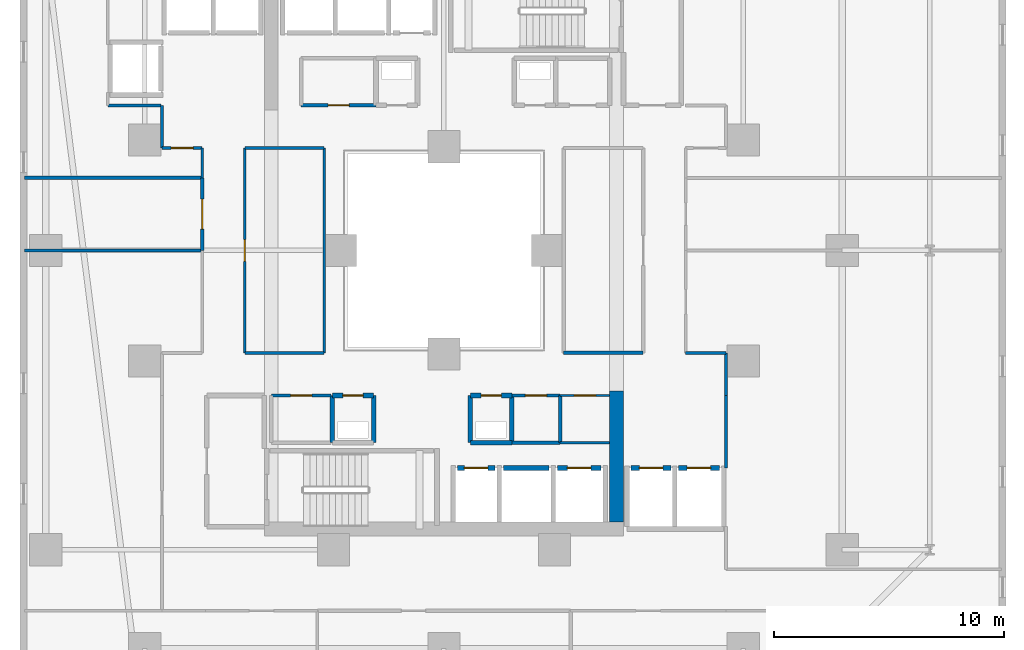
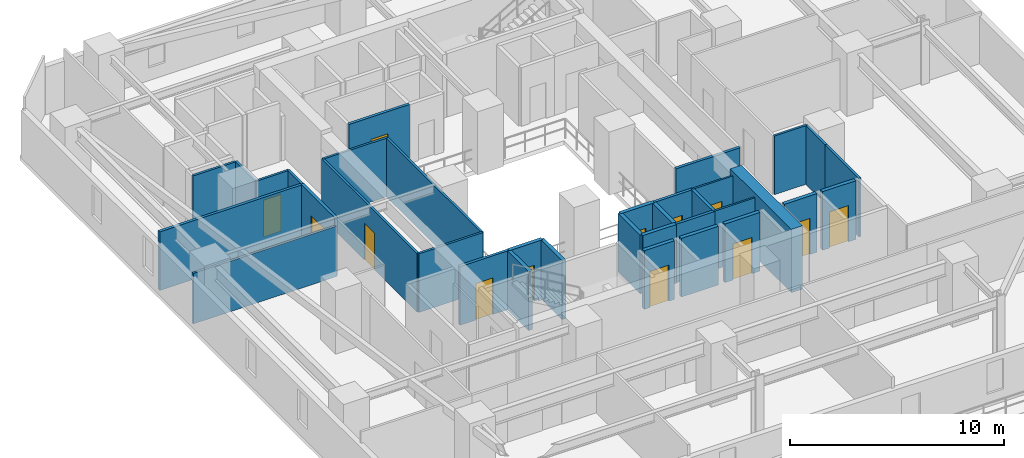
# One storey, part 22 of 35: 35 walls, 13 doors, 13 openings.
"""IFC4 building model written with IfcOpenShell, lengths in metres."""

from ifc_helpers import new_model, si_unit, direction, frame, frame_2d, origin, place, context, subcontext, project, spatial, rectangle, extrude, material, layer, layer_set, type_object, element, fill, save


model = new_model("IFC4")

# Units and contexts
model_context = context("Model", 3, precision=1e-05, world=origin(), true_north=direction((0.0, 1.0)))
body_context = subcontext(model_context, "Body", "Model", "MODEL_VIEW")
ifc_project = project(units=[si_unit("LENGTHUNIT", "METRE"), si_unit("AREAUNIT", "SQUARE_METRE"), si_unit("VOLUMEUNIT", "CUBIC_METRE"), si_unit("PLANEANGLEUNIT", "RADIAN"), si_unit("MASSUNIT", "GRAM", prefix="KILO")], contexts=[model_context])

# Site, building, storey
site_placement = place(None, origin())
site = spatial("IfcSite", under=ifc_project, at=site_placement, CompositionType="ELEMENT")
building_placement = place(site_placement, origin())
building = spatial("IfcBuilding", under=site, at=building_placement, Name="Thornwick Lancets Civic Towers", CompositionType="ELEMENT")
storey_placement = place(building_placement, frame((0.0, 0.0, 64.5)))
storey = spatial("IfcBuildingStorey", under=building, at=storey_placement, Name="L16", CompositionType="ELEMENT", Elevation=64.5)

# Wall, opening, door
ifc_material_1 = material(Name="Concrete blockwork C40/50", Category="masonry")
ifc_layer_1 = layer(ifc_material_1, 0.199951171875, Name="Concrete blockwork C40/50")
ifc_layer_set_1 = layer_set([ifc_layer_1], Name="Concrete blockwork C40/50")
wall_type_1 = type_object("IfcWallType", Name="WALL_COMP_200", PredefinedType="STANDARD", material=ifc_layer_set_1)
wall_1_placement = place(storey_placement, frame((26.080078125, 17.550048828125, 0.0), z_axis=(0.0, 0.0, 1.0), x_axis=(1.0, 0.0, 0.0)))
wall_1 = element("IfcWall", 1, at=wall_1_placement, inside=storey, type_object=wall_type_1, Name="L16 Hoistway Front Wall FL-A1", PredefinedType="STANDARD", context=body_context, shape_type="SweptSolid", body=[
    extrude(rectangle(XDim=1.639892578125, YDim=0.199951171875, at=frame_2d((0.81982421875, 0.0))), origin(), (0.0, 0.0, 1.0), 3.340087890625),
])
opening_1_placement = place(wall_1_placement, frame((0.31005859375, 0.0, 0.0)))
opening_1 = element("IfcOpeningElement", 2, at=opening_1_placement, cuts=wall_1, Name="Opening LD-FL-A1", PredefinedType="OPENING", context=body_context, shape_type="SweptSolid", body=[
    extrude(rectangle(XDim=1.02001953125, YDim=2.06005859375, at=frame_2d((0.510009765625, 1.030029296875))), frame((0.0, 0.10986328125, 0.0), z_axis=(0.0, -1.0, 0.0), x_axis=(1.0, 0.0, 0.0)), (0.0, 0.0, 1.0), 0.219970703125),
])
ifc_material_2 = material(Name="Brushed bronze stainless steel", Category="steel")
door_type_1 = type_object("IfcDoorType", Name="DOOR_LIFT_SLIDE", OperationType="SLIDING_TO_LEFT", PredefinedType="DOOR", material=ifc_material_2)
door_1_placement = place(opening_1_placement, origin())
door_1 = element("IfcDoor", 3, at=door_1_placement, inside=storey, type_object=door_type_1, Name="L16 Sliding Lift Landing Door LD-FL-A1", OperationType="SLIDING_TO_LEFT", OverallHeight=2.06005859375, OverallWidth=1.02001953125, PredefinedType="DOOR", context=body_context, shape_type="SweptSolid", body=[
    extrude(rectangle(XDim=1.02001953125, YDim=2.06005859375, at=frame_2d((0.510009765625, 1.030029296875))), frame((0.0, 0.02490234375, 0.0), z_axis=(0.0, -1.0, 0.0), x_axis=(1.0, 0.0, 0.0)), (0.0, 0.0, 1.0), 0.050048828125),
])
fill(opening_1, door_1)

# Wall
wall_2_placement = place(storey_placement, frame((28.080078125, 17.550048828125, 0.0), z_axis=(0.0, 0.0, 1.0), x_axis=(1.0, 0.0, 0.0)))
element("IfcWall", 4, at=wall_2_placement, inside=storey, type_object=wall_type_1, Name="L16 Hoistway Front Wall PL-AH1", PredefinedType="STANDARD", context=body_context, shape_type="SweptSolid", body=[
    extrude(rectangle(XDim=1.989990234375, YDim=0.199951171875, at=frame_2d((0.9951171875, 0.0))), origin(), (0.0, 0.0, 1.0), 3.340087890625),
])

# Wall, opening, door
wall_3_placement = place(storey_placement, frame((30.429931640625, 17.550048828125, 0.0), z_axis=(0.0, 0.0, 1.0), x_axis=(1.0, 0.0, 0.0)))
wall_3 = element("IfcWall", 5, at=wall_3_placement, inside=storey, type_object=wall_type_1, Name="L16 Hoistway Front Wall PL-AL1", PredefinedType="STANDARD", context=body_context, shape_type="SweptSolid", body=[
    extrude(rectangle(XDim=1.89013671875, YDim=0.199951171875, at=frame_2d((0.945068359375, 0.0))), origin(), (0.0, 0.0, 1.0), 3.340087890625),
])
opening_2_placement = place(wall_3_placement, frame((0.43505859375, 0.0, 0.0)))
opening_2 = element("IfcOpeningElement", 6, at=opening_2_placement, cuts=wall_3, Name="Opening LD-PL-AL1", PredefinedType="OPENING", context=body_context, shape_type="SweptSolid", body=[
    extrude(rectangle(XDim=1.02001953125, YDim=2.06005859375, at=frame_2d((0.510009765625, 1.030029296875))), frame((0.0, 0.10986328125, 0.0), z_axis=(0.0, -1.0, 0.0), x_axis=(1.0, 0.0, 0.0)), (0.0, 0.0, 1.0), 0.219970703125),
])
door_2_placement = place(opening_2_placement, origin())
door_2 = element("IfcDoor", 7, at=door_2_placement, inside=storey, type_object=door_type_1, Name="L16 Sliding Lift Landing Door LD-PL-AL1", OperationType="SLIDING_TO_LEFT", OverallHeight=2.06005859375, OverallWidth=1.02001953125, PredefinedType="DOOR", context=body_context, shape_type="SweptSolid", body=[
    extrude(rectangle(XDim=1.02001953125, YDim=2.06005859375, at=frame_2d((0.510009765625, 1.030029296875))), frame((0.0, 0.02490234375, 0.0), z_axis=(0.0, -1.0, 0.0), x_axis=(1.0, 0.0, 0.0)), (0.0, 0.0, 1.0), 0.050048828125),
])
fill(opening_2, door_2)

wall_4_placement = place(storey_placement, frame((33.6298828125, 17.550048828125, 0.0), z_axis=(0.0, 0.0, 1.0), x_axis=(1.0, 0.0, 0.0)))
wall_4 = element("IfcWall", 8, at=wall_4_placement, inside=storey, type_object=wall_type_1, Name="L16 Hoistway Front Wall PL-AL2", PredefinedType="STANDARD", context=body_context, shape_type="SweptSolid", body=[
    extrude(rectangle(XDim=1.740234375, YDim=0.199951171875, at=frame_2d((0.8701171875, 0.0))), origin(), (0.0, 0.0, 1.0), 3.340087890625),
])
opening_3_placement = place(wall_4_placement, frame((0.360107421875, 0.0, 0.0)))
opening_3 = element("IfcOpeningElement", 9, at=opening_3_placement, cuts=wall_4, Name="Opening LD-PL-AL2", PredefinedType="OPENING", context=body_context, shape_type="SweptSolid", body=[
    extrude(rectangle(XDim=1.02001953125, YDim=2.06005859375, at=frame_2d((0.510009765625, 1.030029296875))), frame((0.0, 0.10986328125, 0.0), z_axis=(0.0, -1.0, 0.0), x_axis=(1.0, 0.0, 0.0)), (0.0, 0.0, 1.0), 0.219970703125),
])
door_3_placement = place(opening_3_placement, origin())
door_3 = element("IfcDoor", 10, at=door_3_placement, inside=storey, type_object=door_type_1, Name="L16 Sliding Lift Landing Door LD-PL-AL2", OperationType="SLIDING_TO_LEFT", OverallHeight=2.06005859375, OverallWidth=1.02001953125, PredefinedType="DOOR", context=body_context, shape_type="SweptSolid", body=[
    extrude(rectangle(XDim=1.02001953125, YDim=2.06005859375, at=frame_2d((0.510009765625, 1.030029296875))), frame((0.0, 0.02490234375, 0.0), z_axis=(0.0, -1.0, 0.0), x_axis=(1.0, 0.0, 0.0)), (0.0, 0.0, 1.0), 0.050048828125),
])
fill(opening_3, door_3)

wall_5_placement = place(storey_placement, frame((35.679931640625, 17.550048828125, 0.0), z_axis=(0.0, 0.0, 1.0), x_axis=(1.0, 0.0, 0.0)))
wall_5 = element("IfcWall", 11, at=wall_5_placement, inside=storey, type_object=wall_type_1, Name="L16 Hoistway Front Wall PL-AL3", PredefinedType="STANDARD", context=body_context, shape_type="SweptSolid", body=[
    extrude(rectangle(XDim=1.7900390625, YDim=0.199951171875, at=frame_2d((0.89501953125, 0.0))), origin(), (0.0, 0.0, 1.0), 3.340087890625),
])
opening_4_placement = place(wall_5_placement, frame((0.385009765625, 0.0, 0.0)))
opening_4 = element("IfcOpeningElement", 12, at=opening_4_placement, cuts=wall_5, Name="Opening LD-PL-AL3", PredefinedType="OPENING", context=body_context, shape_type="SweptSolid", body=[
    extrude(rectangle(XDim=1.02001953125, YDim=2.06005859375, at=frame_2d((0.510009765625, 1.030029296875))), frame((0.0, 0.10986328125, 0.0), z_axis=(0.0, -1.0, 0.0), x_axis=(1.0, 0.0, 0.0)), (0.0, 0.0, 1.0), 0.219970703125),
])
door_4_placement = place(opening_4_placement, origin())
door_4 = element("IfcDoor", 13, at=door_4_placement, inside=storey, type_object=door_type_1, Name="L16 Sliding Lift Landing Door LD-PL-AL3", OperationType="SLIDING_TO_LEFT", OverallHeight=2.06005859375, OverallWidth=1.02001953125, PredefinedType="DOOR", context=body_context, shape_type="SweptSolid", body=[
    extrude(rectangle(XDim=1.02001953125, YDim=2.06005859375, at=frame_2d((0.510009765625, 1.030029296875))), frame((0.0, 0.02490234375, 0.0), z_axis=(0.0, -1.0, 0.0), x_axis=(1.0, 0.0, 0.0)), (0.0, 0.0, 1.0), 0.050048828125),
])
fill(opening_4, door_4)

# Walls
wall_6_placement = place(storey_placement, frame((26.64990234375, 18.64990234375, 0.0), z_axis=(0.0, 0.0, 1.0), x_axis=(1.0, 0.0, 0.0)))
element("IfcWall", 14, at=wall_6_placement, inside=storey, type_object=wall_type_1, Name="L16 Partition L16-A-DUCT1 E1", PredefinedType="STANDARD", context=body_context, shape_type="SweptSolid", body=[
    extrude(rectangle(XDim=1.800048828125, YDim=0.199951171875, at=frame_2d((0.89990234375, 0.0))), origin(), (0.0, 0.0, 1.0), 3.340087890625),
])
wall_7_placement = place(storey_placement, frame((28.449951171875, 18.64990234375, 0.0), z_axis=(0.0, 0.0, 1.0), x_axis=(0.0, 1.0, 0.0)))
element("IfcWall", 15, at=wall_7_placement, inside=storey, type_object=wall_type_1, Name="L16 Partition L16-A-DUCT1 E2", PredefinedType="STANDARD", context=body_context, shape_type="SweptSolid", body=[
    extrude(rectangle(XDim=2.050048828125, YDim=0.199951171875, at=frame_2d((1.02490234375, 0.0))), origin(), (0.0, 0.0, 1.0), 3.340087890625),
])

# Wall, opening, door
wall_8_placement = place(storey_placement, frame((28.449951171875, 20.699951171875, 0.0), z_axis=(0.0, 0.0, 1.0), x_axis=(-1.0, 0.0, 0.0)))
wall_8 = element("IfcWall", 16, at=wall_8_placement, inside=storey, type_object=wall_type_1, Name="L16 Partition L16-A-DUCT1 E3", PredefinedType="STANDARD", context=body_context, shape_type="SweptSolid", body=[
    extrude(rectangle(XDim=1.800048828125, YDim=0.199951171875, at=frame_2d((0.89990234375, 0.0))), origin(), (0.0, 0.0, 1.0), 3.340087890625),
])
opening_5_placement = place(wall_8_placement, frame((0.4599609375, 0.0, 0.0)))
opening_5 = element("IfcOpeningElement", 17, at=opening_5_placement, cuts=wall_8, Name="Opening D-L16-0755", PredefinedType="OPENING", context=body_context, shape_type="SweptSolid", body=[
    extrude(rectangle(XDim=0.8798828125, YDim=2.0400390625, at=frame_2d((0.43994140625, 1.02001953125))), frame((0.0, 0.10986328125, 0.0), z_axis=(0.0, -1.0, 0.0), x_axis=(1.0, 0.0, 0.0)), (0.0, 0.0, 1.0), 0.219970703125),
])
ifc_material_3 = material(Name="Steel riser access doorset", Category="steel")
door_type_2 = type_object("IfcDoorType", Name="DOOR_RISER_850", OperationType="NOTDEFINED", PredefinedType="DOOR", material=ifc_material_3)
door_5_placement = place(opening_5_placement, origin())
door_5 = element("IfcDoor", 18, at=door_5_placement, inside=storey, type_object=door_type_2, Name="L16 South Service Duct 1 Door", OperationType="SINGLE_SWING_RIGHT", OverallHeight=2.0400390625, OverallWidth=0.8798828125, PredefinedType="DOOR", context=body_context, shape_type="SweptSolid", body=[
    extrude(rectangle(XDim=0.8798828125, YDim=2.0400390625, at=frame_2d((0.43994140625, 1.02001953125))), frame((0.0, 0.02490234375, 0.0), z_axis=(0.0, -1.0, 0.0), x_axis=(1.0, 0.0, 0.0)), (0.0, 0.0, 1.0), 0.050048828125),
])
fill(opening_5, door_5)

# Walls
for number, where, z_axis, x_axis, name in (
    (19, (26.64990234375, 20.699951171875, 0.0), (0.0, 0.0, 1.0), (0.0, -1.0, 0.0), "L16 Partition L16-A-DUCT1 E4"),
    (20, (22.449951171875, 18.64990234375, 0.0), (0.0, 0.0, 1.0), (0.0, 1.0, 0.0), "L16 Partition L16-A-RISER1 E2"),
):
    element("IfcWall", number, at=place(storey_placement, frame(where, z_axis=z_axis, x_axis=x_axis)), inside=storey, type_object=wall_type_1, Name=name, PredefinedType="STANDARD", context=body_context, shape_type="SweptSolid", body=[
        extrude(rectangle(XDim=2.050048828125, YDim=0.199951171875, at=frame_2d((1.02490234375, 0.0))), origin(), (0.0, 0.0, 1.0), 3.340087890625),
    ])

# Wall, opening, door
wall_9_placement = place(storey_placement, frame((22.449951171875, 20.699951171875, 0.0), z_axis=(0.0, 0.0, 1.0), x_axis=(-1.0, 0.0, 0.0)))
wall_9 = element("IfcWall", 21, at=wall_9_placement, inside=storey, type_object=wall_type_1, Name="L16 Partition L16-A-RISER1 E3", PredefinedType="STANDARD", context=body_context, shape_type="SweptSolid", body=[
    extrude(rectangle(XDim=1.800048828125, YDim=0.199951171875, at=frame_2d((0.89990234375, 0.0))), origin(), (0.0, 0.0, 1.0), 3.340087890625),
])
opening_6_placement = place(wall_9_placement, frame((0.4599609375, 0.0, 0.0)))
opening_6 = element("IfcOpeningElement", 22, at=opening_6_placement, cuts=wall_9, Name="Opening D-L16-0756", PredefinedType="OPENING", context=body_context, shape_type="SweptSolid", body=[
    extrude(rectangle(XDim=0.8798828125, YDim=2.0400390625, at=frame_2d((0.43994140625, 1.02001953125))), frame((0.0, 0.10986328125, 0.0), z_axis=(0.0, -1.0, 0.0), x_axis=(1.0, 0.0, 0.0)), (0.0, 0.0, 1.0), 0.219970703125),
])
door_6_placement = place(opening_6_placement, origin())
door_6 = element("IfcDoor", 23, at=door_6_placement, inside=storey, type_object=door_type_2, Name="L16 South Electrical Riser 1 Door", OperationType="SINGLE_SWING_LEFT", OverallHeight=2.0400390625, OverallWidth=0.8798828125, PredefinedType="DOOR", context=body_context, shape_type="SweptSolid", body=[
    extrude(rectangle(XDim=0.8798828125, YDim=2.0400390625, at=frame_2d((0.43994140625, 1.02001953125))), frame((0.0, 0.02490234375, 0.0), z_axis=(0.0, -1.0, 0.0), x_axis=(1.0, 0.0, 0.0)), (0.0, 0.0, 1.0), 0.050048828125),
])
fill(opening_6, door_6)

# Walls
wall_10_placement = place(storey_placement, frame((20.64990234375, 20.699951171875, 0.0), z_axis=(0.0, 0.0, 1.0), x_axis=(0.0, -1.0, 0.0)))
element("IfcWall", 24, at=wall_10_placement, inside=storey, type_object=wall_type_1, Name="L16 Partition L16-A-RISER1 E4", PredefinedType="STANDARD", context=body_context, shape_type="SweptSolid", body=[
    extrude(rectangle(XDim=2.050048828125, YDim=0.199951171875, at=frame_2d((1.02490234375, 0.0))), origin(), (0.0, 0.0, 1.0), 3.340087890625),
])
ifc_material_4 = material(Name="Concrete C60/75", Category="concrete")
ifc_layer_2 = layer(ifc_material_4, 0.60009765625, Name="Concrete C60/75")
ifc_layer_set_2 = layer_set([ifc_layer_2], Name="Concrete C60/75")
wall_type_2 = type_object("IfcWallType", Name="WALL_CORE_600", PredefinedType="SHEAR", material=ifc_layer_set_2)
wall_11_placement = place(storey_placement, frame((33.0, 15.199951171875, 0.0), z_axis=(0.0, 0.0, 1.0), x_axis=(0.0, 1.0, 0.0)))
element("IfcWall", 25, at=wall_11_placement, inside=storey, type_object=wall_type_2, Name="L16 Split Core A1 Shear Wall E", PredefinedType="SHEAR", context=body_context, shape_type="SweptSolid", body=[
    extrude(rectangle(XDim=5.699951171875, YDim=0.60009765625, at=frame_2d((2.85009765625, 0.0))), origin(), (0.0, 0.0, 1.0), 3.60009765625),
])
ifc_material_5 = material(Name="Lightweight cellular office partition")
ifc_layer_3 = layer(ifc_material_5, 0.10009765625, Name="Lightweight cellular office partition")
ifc_layer_set_3 = layer_set([ifc_layer_3], Name="Lightweight cellular office partition")
wall_type_3 = type_object("IfcWallType", Name="WALL_PART_100", PredefinedType="PARTITIONING", material=ifc_layer_set_3)
wall_12_placement = place(storey_placement, frame((32.699951171875, 18.64990234375, 0.0), z_axis=(0.0, 0.0, 1.0), x_axis=(-1.0, 0.0, 0.0)))
element("IfcWall", 26, at=wall_12_placement, inside=storey, type_object=wall_type_3, Name="L16 Partition L16-A-CLN E2", PredefinedType="PARTITIONING", context=body_context, shape_type="SweptSolid", body=[
    extrude(rectangle(XDim=2.14990234375, YDim=0.10009765625, at=frame_2d((1.074951171875, 0.0))), origin(), (0.0, 0.0, 1.0), 3.340087890625),
])

# Wall, opening, door
wall_13_placement = place(storey_placement, frame((30.550048828125, 20.699951171875, 0.0), z_axis=(0.0, 0.0, 1.0), x_axis=(1.0, 0.0, 0.0)))
wall_13 = element("IfcWall", 27, at=wall_13_placement, inside=storey, type_object=wall_type_3, Name="L16 Partition L16-A-CLN E4", PredefinedType="PARTITIONING", context=body_context, shape_type="SweptSolid", body=[
    extrude(rectangle(XDim=2.14990234375, YDim=0.10009765625, at=frame_2d((1.074951171875, 0.0))), origin(), (0.0, 0.0, 1.0), 3.340087890625),
])
opening_7_placement = place(wall_13_placement, frame((0.60009765625, 0.0, 0.0)))
opening_7 = element("IfcOpeningElement", 28, at=opening_7_placement, cuts=wall_13, Name="Opening D-L16-0761", PredefinedType="OPENING", context=body_context, shape_type="SweptSolid", body=[
    extrude(rectangle(XDim=0.949951171875, YDim=2.10009765625, at=frame_2d((0.47509765625, 1.050048828125))), frame((0.0, 0.06005859375, 0.0), z_axis=(0.0, -1.0, 0.0), x_axis=(1.0, 0.0, 0.0)), (0.0, 0.0, 1.0), 0.1201171875),
])
ifc_material_6 = material(Name="European oak acoustic doorset")
door_type_3 = type_object("IfcDoorType", Name="DOOR_OFFICE_950", OperationType="NOTDEFINED", PredefinedType="DOOR", material=ifc_material_6)
door_7_placement = place(opening_7_placement, origin())
door_7 = element("IfcDoor", 29, at=door_7_placement, inside=storey, type_object=door_type_3, Name="L16 Tower A Cleaners Store Door", OperationType="SINGLE_SWING_RIGHT", OverallHeight=2.10009765625, OverallWidth=0.949951171875, PredefinedType="DOOR", context=body_context, shape_type="SweptSolid", body=[
    extrude(rectangle(XDim=0.949951171875, YDim=2.10009765625, at=frame_2d((0.47509765625, 1.050048828125))), frame((0.0, 0.02490234375, 0.0), z_axis=(0.0, -1.0, 0.0), x_axis=(1.0, 0.0, 0.0)), (0.0, 0.0, 1.0), 0.050048828125),
])
fill(opening_7, door_7)

# Walls
ifc_material_7 = material(Name="Acoustic gypsum board partition")
ifc_layer_4 = layer(ifc_material_7, 0.1201171875, Name="Acoustic gypsum board partition")
ifc_layer_set_4 = layer_set([ifc_layer_4], Name="Acoustic gypsum board partition")
wall_type_4 = type_object("IfcWallType", Name="WALL_PART_120", PredefinedType="PARTITIONING", material=ifc_layer_set_4)
wall_14_placement = place(storey_placement, frame((7.280029296875, 27.0, 0.0), z_axis=(0.0, 0.0, 1.0), x_axis=(1.0, 0.0, 0.0)))
element("IfcWall", 30, at=wall_14_placement, inside=storey, type_object=wall_type_4, Name="L16 Partition L16-A-W1 E7", PredefinedType="PARTITIONING", context=body_context, shape_type="SweptSolid", body=[
    extrude(rectangle(XDim=7.719970703125, YDim=0.1201171875, at=frame_2d((3.85986328125, 0.0))), origin(), (0.0, 0.0, 1.0), 2.877685546875),
])
wall_15_placement = place(storey_placement, frame((13.25, 33.300048828125, 0.0), z_axis=(0.0, 0.0, 1.0), x_axis=(0.0, -1.0, 0.0)))
element("IfcWall", 31, at=wall_15_placement, inside=storey, type_object=wall_type_4, Name="L16 Partition L16-A-W3 E2", PredefinedType="PARTITIONING", context=body_context, shape_type="SweptSolid", body=[
    extrude(rectangle(XDim=1.85009765625, YDim=0.1201171875, at=frame_2d((0.925048828125, 0.0))), origin(), (0.0, 0.0, 1.0), 3.340087890625),
])

# Wall, opening, door
wall_16_placement = place(storey_placement, frame((13.25, 31.449951171875, 0.0), z_axis=(0.0, 0.0, 1.0), x_axis=(1.0, 0.0, 0.0)))
wall_16 = element("IfcWall", 32, at=wall_16_placement, inside=storey, type_object=wall_type_4, Name="L16 Partition L16-A-W3 E3", PredefinedType="PARTITIONING", context=body_context, shape_type="SweptSolid", body=[
    extrude(rectangle(XDim=1.75, YDim=0.1201171875, at=frame_2d((0.875, 0.0))), origin(), (0.0, 0.0, 1.0), 3.340087890625),
])
opening_8_placement = place(wall_16_placement, frame((0.39990234375, 0.0, 0.0)))
opening_8 = element("IfcOpeningElement", 33, at=opening_8_placement, cuts=wall_16, Name="Opening D-L16-0777", PredefinedType="OPENING", context=body_context, shape_type="SweptSolid", body=[
    extrude(rectangle(XDim=0.949951171875, YDim=2.10009765625, at=frame_2d((0.47509765625, 1.050048828125))), frame((0.0, 0.070068359375, 0.0), z_axis=(0.0, -1.0, 0.0), x_axis=(1.0, 0.0, 0.0)), (0.0, 0.0, 1.0), 0.14013671875),
])
door_8_placement = place(opening_8_placement, origin())
door_8 = element("IfcDoor", 34, at=door_8_placement, inside=storey, type_object=door_type_3, Name="L16 Tower A Staff Tea Pantry and Lounge Door", OperationType="SINGLE_SWING_RIGHT", OverallHeight=2.10009765625, OverallWidth=0.949951171875, PredefinedType="DOOR", context=body_context, shape_type="SweptSolid", body=[
    extrude(rectangle(XDim=0.949951171875, YDim=2.10009765625, at=frame_2d((0.47509765625, 1.050048828125))), frame((0.0, 0.02490234375, 0.0), z_axis=(0.0, -1.0, 0.0), x_axis=(1.0, 0.0, 0.0)), (0.0, 0.0, 1.0), 0.050048828125),
])
fill(opening_8, door_8)

# Walls
wall_17_placement = place(storey_placement, frame((15.0, 31.449951171875, 0.0), z_axis=(0.0, 0.0, 1.0), x_axis=(0.0, -1.0, 0.0)))
element("IfcWall", 35, at=wall_17_placement, inside=storey, type_object=wall_type_4, Name="L16 Partition L16-A-W3 E4", PredefinedType="PARTITIONING", context=body_context, shape_type="SweptSolid", body=[
    extrude(rectangle(XDim=1.300048828125, YDim=0.1201171875, at=frame_2d((0.64990234375, 0.0))), origin(), (0.0, 0.0, 1.0), 3.340087890625),
])
wall_18_placement = place(storey_placement, frame((10.89990234375, 33.300048828125, 0.0), z_axis=(0.0, 0.0, 1.0), x_axis=(1.0, 0.0, 0.0)))
element("IfcWall", 36, at=wall_18_placement, inside=storey, type_object=wall_type_4, Name="L16 Partition L16-A-W3 E10", PredefinedType="PARTITIONING", context=body_context, shape_type="SweptSolid", body=[
    extrude(rectangle(XDim=2.300048828125, YDim=0.1201171875, at=frame_2d((1.14990234375, 0.0))), origin(), (0.0, 0.0, 1.0), 3.340087890625),
])
wall_19_placement = place(storey_placement, frame((37.75, 17.550048828125, 0.0), z_axis=(0.0, 0.0, 1.0), x_axis=(0.0, 1.0, 0.0)))
element("IfcWall", 37, at=wall_19_placement, inside=storey, type_object=wall_type_4, Name="L16 Partition L16-A-E1 E1", PredefinedType="PARTITIONING", context=body_context, shape_type="SweptSolid", body=[
    extrude(rectangle(XDim=3.14990234375, YDim=0.1201171875, at=frame_2d((1.574951171875, 0.0))), origin(), (0.0, 0.0, 1.0), 3.340087890625),
])
wall_20_placement = place(storey_placement, frame((37.75, 20.699951171875, 0.0), z_axis=(0.0, 0.0, 1.0), x_axis=(0.0, 1.0, 0.0)))
element("IfcWall", 38, at=wall_20_placement, inside=storey, type_object=wall_type_4, Name="L16 Partition L16-A-E1 E2", PredefinedType="PARTITIONING", context=body_context, shape_type="SweptSolid", body=[
    extrude(rectangle(XDim=1.85009765625, YDim=0.1201171875, at=frame_2d((0.925048828125, 0.0))), origin(), (0.0, 0.0, 1.0), 3.340087890625),
])
wall_21_placement = place(storey_placement, frame((37.75, 22.550048828125, 0.0), z_axis=(0.0, 0.0, 1.0), x_axis=(-1.0, 0.0, 0.0)))
element("IfcWall", 39, at=wall_21_placement, inside=storey, type_object=wall_type_4, Name="L16 Partition L16-A-E1 E3", PredefinedType="PARTITIONING", context=body_context, shape_type="SweptSolid", body=[
    extrude(rectangle(XDim=1.75, YDim=0.1201171875, at=frame_2d((0.875, 0.0))), origin(), (0.0, 0.0, 1.0), 3.340087890625),
])

# Wall, opening, door
wall_22_placement = place(storey_placement, frame((16.85009765625, 22.550048828125, 0.0), z_axis=(0.0, 0.0, 1.0), x_axis=(0.0, 1.0, 0.0)))
wall_22 = element("IfcWall", 40, at=wall_22_placement, inside=storey, type_object=wall_type_4, Name="L16 Partition L16-A-ATR-W E1", PredefinedType="PARTITIONING", context=body_context, shape_type="SweptSolid", body=[
    extrude(rectangle(XDim=8.89990234375, YDim=0.1201171875, at=frame_2d((4.449951171875, 0.0))), origin(), (0.0, 0.0, 1.0), 3.340087890625),
])
opening_9_placement = place(wall_22_placement, frame((3.97509765625, 0.0, 0.0)))
opening_9 = element("IfcOpeningElement", 41, at=opening_9_placement, cuts=wall_22, Name="Opening D-L16-0782", PredefinedType="OPENING", context=body_context, shape_type="SweptSolid", body=[
    extrude(rectangle(XDim=0.949951171875, YDim=2.10009765625, at=frame_2d((0.47509765625, 1.050048828125))), frame((0.0, 0.070068359375, 0.0), z_axis=(0.0, -1.0, 0.0), x_axis=(1.0, 0.0, 0.0)), (0.0, 0.0, 1.0), 0.14013671875),
])
door_9_placement = place(opening_9_placement, origin())
door_9 = element("IfcDoor", 42, at=door_9_placement, inside=storey, type_object=door_type_3, Name="L16 Tower A West Atrium Study Lounge Door", OperationType="SINGLE_SWING_LEFT", OverallHeight=2.10009765625, OverallWidth=0.949951171875, PredefinedType="DOOR", context=body_context, shape_type="SweptSolid", body=[
    extrude(rectangle(XDim=0.949951171875, YDim=2.10009765625, at=frame_2d((0.47509765625, 1.050048828125))), frame((0.0, 0.02490234375, 0.0), z_axis=(0.0, -1.0, 0.0), x_axis=(1.0, 0.0, 0.0)), (0.0, 0.0, 1.0), 0.050048828125),
])
fill(opening_9, door_9)

# Walls
wall_23_placement = place(storey_placement, frame((16.85009765625, 31.449951171875, 0.0), z_axis=(0.0, 0.0, 1.0), x_axis=(1.0, 0.0, 0.0)))
element("IfcWall", 43, at=wall_23_placement, inside=storey, type_object=wall_type_4, Name="L16 Partition L16-A-ATR-W E2", PredefinedType="PARTITIONING", context=body_context, shape_type="SweptSolid", body=[
    extrude(rectangle(XDim=3.449951171875, YDim=0.1201171875, at=frame_2d((1.72509765625, 0.0))), origin(), (0.0, 0.0, 1.0), 3.340087890625),
])
wall_24_placement = place(storey_placement, frame((20.300048828125, 31.449951171875, 0.0), z_axis=(0.0, 0.0, 1.0), x_axis=(0.0, -1.0, 0.0)))
element("IfcWall", 44, at=wall_24_placement, inside=storey, type_object=wall_type_4, Name="L16 Partition L16-A-ATR-W E3", PredefinedType="PARTITIONING", context=body_context, shape_type="SweptSolid", body=[
    extrude(rectangle(XDim=8.89990234375, YDim=0.1201171875, at=frame_2d((4.449951171875, 0.0))), origin(), (0.0, 0.0, 1.0), 3.340087890625),
])
wall_25_placement = place(storey_placement, frame((20.300048828125, 22.550048828125, 0.0), z_axis=(0.0, 0.0, 1.0), x_axis=(-1.0, 0.0, 0.0)))
element("IfcWall", 45, at=wall_25_placement, inside=storey, type_object=wall_type_4, Name="L16 Partition L16-A-ATR-W E4", PredefinedType="PARTITIONING", context=body_context, shape_type="SweptSolid", body=[
    extrude(rectangle(XDim=3.449951171875, YDim=0.1201171875, at=frame_2d((1.72509765625, 0.0))), origin(), (0.0, 0.0, 1.0), 3.340087890625),
])

# Wall, opening, door
ifc_material_8 = material(Name="Twin-stud acoustic gypsum board")
ifc_layer_5 = layer(ifc_material_8, 0.14990234375, Name="Twin-stud acoustic gypsum board")
ifc_layer_set_5 = layer_set([ifc_layer_5], Name="Twin-stud acoustic gypsum board")
wall_type_5 = type_object("IfcWallType", Name="WALL_PART_150", PredefinedType="PARTITIONING", material=ifc_layer_set_5)
wall_26_placement = place(storey_placement, frame((20.60009765625, 20.699951171875, 0.0), z_axis=(0.0, 0.0, 1.0), x_axis=(-1.0, 0.0, 0.0)))
wall_26 = element("IfcWall", 46, at=wall_26_placement, inside=storey, type_object=wall_type_5, Name="L16 Partition L16-A-AWC E3", PredefinedType="PARTITIONING", context=body_context, shape_type="SweptSolid", body=[
    extrude(rectangle(XDim=2.60009765625, YDim=0.14990234375, at=frame_2d((1.300048828125, 0.0))), origin(), (0.0, 0.0, 1.0), 3.340087890625),
])
opening_10_placement = place(wall_26_placement, frame((0.840087890625, 0.0, 0.0)))
opening_10 = element("IfcOpeningElement", 47, at=opening_10_placement, cuts=wall_26, Name="Opening D-L16-0759", PredefinedType="OPENING", context=body_context, shape_type="SweptSolid", body=[
    extrude(rectangle(XDim=0.919921875, YDim=2.080078125, at=frame_2d((0.4599609375, 1.0400390625))), frame((0.0, 0.0849609375, 0.0), z_axis=(0.0, -1.0, 0.0), x_axis=(1.0, 0.0, 0.0)), (0.0, 0.0, 1.0), 0.169921875),
])
ifc_material_9 = material(Name="Moisture-resistant oak doorset")
door_type_4 = type_object("IfcDoorType", Name="DOOR_WC_900", OperationType="NOTDEFINED", PredefinedType="DOOR", material=ifc_material_9)
door_10_placement = place(opening_10_placement, origin())
door_10 = element("IfcDoor", 48, at=door_10_placement, inside=storey, type_object=door_type_4, Name="L16 Tower A Accessible WC Door", OperationType="SINGLE_SWING_RIGHT", OverallHeight=2.080078125, OverallWidth=0.919921875, PredefinedType="DOOR", context=body_context, shape_type="SweptSolid", body=[
    extrude(rectangle(XDim=0.919921875, YDim=2.080078125, at=frame_2d((0.4599609375, 1.0400390625))), frame((0.0, 0.02490234375, 0.0), z_axis=(0.0, -1.0, 0.0), x_axis=(1.0, 0.0, 0.0)), (0.0, 0.0, 1.0), 0.050048828125),
])
fill(opening_10, door_10)

# Walls
wall_27_placement = place(storey_placement, frame((30.550048828125, 20.699951171875, 0.0), z_axis=(0.0, 0.0, 1.0), x_axis=(0.0, -1.0, 0.0)))
element("IfcWall", 49, at=wall_27_placement, inside=storey, type_object=wall_type_5, Name="L16 Partition L16-A-MWC E1", PredefinedType="PARTITIONING", context=body_context, shape_type="SweptSolid", body=[
    extrude(rectangle(XDim=2.050048828125, YDim=0.14990234375, at=frame_2d((1.02490234375, 0.0))), origin(), (0.0, 0.0, 1.0), 3.340087890625),
])
wall_28_placement = place(storey_placement, frame((30.550048828125, 18.64990234375, 0.0), z_axis=(0.0, 0.0, 1.0), x_axis=(-1.0, 0.0, 0.0)))
element("IfcWall", 50, at=wall_28_placement, inside=storey, type_object=wall_type_5, Name="L16 Partition L16-A-MWC E2", PredefinedType="PARTITIONING", context=body_context, shape_type="SweptSolid", body=[
    extrude(rectangle(XDim=2.10009765625, YDim=0.14990234375, at=frame_2d((1.050048828125, 0.0))), origin(), (0.0, 0.0, 1.0), 3.340087890625),
])

# Wall, opening, door
wall_29_placement = place(storey_placement, frame((28.449951171875, 20.699951171875, 0.0), z_axis=(0.0, 0.0, 1.0), x_axis=(1.0, 0.0, 0.0)))
wall_29 = element("IfcWall", 51, at=wall_29_placement, inside=storey, type_object=wall_type_5, Name="L16 Partition L16-A-MWC E4", PredefinedType="PARTITIONING", context=body_context, shape_type="SweptSolid", body=[
    extrude(rectangle(XDim=2.10009765625, YDim=0.14990234375, at=frame_2d((1.050048828125, 0.0))), origin(), (0.0, 0.0, 1.0), 3.340087890625),
])
opening_11_placement = place(wall_29_placement, frame((0.590087890625, 0.0, 0.0)))
opening_11 = element("IfcOpeningElement", 52, at=opening_11_placement, cuts=wall_29, Name="Opening D-L16-0760", PredefinedType="OPENING", context=body_context, shape_type="SweptSolid", body=[
    extrude(rectangle(XDim=0.919921875, YDim=2.080078125, at=frame_2d((0.4599609375, 1.0400390625))), frame((0.0, 0.0849609375, 0.0), z_axis=(0.0, -1.0, 0.0), x_axis=(1.0, 0.0, 0.0)), (0.0, 0.0, 1.0), 0.169921875),
])
door_11_placement = place(opening_11_placement, origin())
door_11 = element("IfcDoor", 53, at=door_11_placement, inside=storey, type_object=door_type_4, Name="L16 Tower A Male WC Door", OperationType="SINGLE_SWING_LEFT", OverallHeight=2.080078125, OverallWidth=0.919921875, PredefinedType="DOOR", context=body_context, shape_type="SweptSolid", body=[
    extrude(rectangle(XDim=0.919921875, YDim=2.080078125, at=frame_2d((0.4599609375, 1.0400390625))), frame((0.0, 0.02490234375, 0.0), z_axis=(0.0, -1.0, 0.0), x_axis=(1.0, 0.0, 0.0)), (0.0, 0.0, 1.0), 0.050048828125),
])
fill(opening_11, door_11)

wall_30_placement = place(storey_placement, frame((22.550048828125, 33.300048828125, 0.0), z_axis=(0.0, 0.0, 1.0), x_axis=(-1.0, 0.0, 0.0)))
wall_30 = element("IfcWall", 54, at=wall_30_placement, inside=storey, type_object=wall_type_5, Name="L16 Partition L16-A-FWC E4", PredefinedType="PARTITIONING", context=body_context, shape_type="SweptSolid", body=[
    extrude(rectangle(XDim=3.25, YDim=0.14990234375, at=frame_2d((1.625, 0.0))), origin(), (0.0, 0.0, 1.0), 3.340087890625),
])
opening_12_placement = place(wall_30_placement, frame((1.1650390625, 0.0, 0.0)))
opening_12 = element("IfcOpeningElement", 55, at=opening_12_placement, cuts=wall_30, Name="Opening D-L16-0762", PredefinedType="OPENING", context=body_context, shape_type="SweptSolid", body=[
    extrude(rectangle(XDim=0.919921875, YDim=2.080078125, at=frame_2d((0.4599609375, 1.0400390625))), frame((0.0, 0.0849609375, 0.0), z_axis=(0.0, -1.0, 0.0), x_axis=(1.0, 0.0, 0.0)), (0.0, 0.0, 1.0), 0.169921875),
])
door_12_placement = place(opening_12_placement, origin())
door_12 = element("IfcDoor", 56, at=door_12_placement, inside=storey, type_object=door_type_4, Name="L16 Tower A Female WC Door", OperationType="SINGLE_SWING_LEFT", OverallHeight=2.080078125, OverallWidth=0.919921875, PredefinedType="DOOR", context=body_context, shape_type="SweptSolid", body=[
    extrude(rectangle(XDim=0.919921875, YDim=2.080078125, at=frame_2d((0.4599609375, 1.0400390625))), frame((0.0, 0.02490234375, 0.0), z_axis=(0.0, -1.0, 0.0), x_axis=(1.0, 0.0, 0.0)), (0.0, 0.0, 1.0), 0.050048828125),
])
fill(opening_12, door_12)

# Wall
wall_31_placement = place(storey_placement, frame((7.280029296875, 30.14990234375, 0.0), z_axis=(0.0, 0.0, 1.0), x_axis=(1.0, 0.0, 0.0)))
element("IfcWall", 57, at=wall_31_placement, inside=storey, type_object=wall_type_5, Name="L16 Partition L16-A-W2 E1", PredefinedType="PARTITIONING", context=body_context, shape_type="SweptSolid", body=[
    extrude(rectangle(XDim=7.719970703125, YDim=0.14990234375, at=frame_2d((3.85986328125, 0.0))), origin(), (0.0, 0.0, 1.0), 3.340087890625),
])

# Wall, opening, door
wall_32_placement = place(storey_placement, frame((15.0, 30.14990234375, 0.0), z_axis=(0.0, 0.0, 1.0), x_axis=(0.0, -1.0, 0.0)))
wall_32 = element("IfcWall", 58, at=wall_32_placement, inside=storey, type_object=wall_type_5, Name="L16 Partition L16-A-W2 E2", PredefinedType="PARTITIONING", context=body_context, shape_type="SweptSolid", body=[
    extrude(rectangle(XDim=3.14990234375, YDim=0.14990234375, at=frame_2d((1.574951171875, 0.0))), origin(), (0.0, 0.0, 1.0), 3.340087890625),
])
opening_13_placement = place(wall_32_placement, frame((0.925048828125, 0.0, 0.0)))
opening_13 = element("IfcOpeningElement", 59, at=opening_13_placement, cuts=wall_32, Name="Opening D-L16-0776", PredefinedType="OPENING", context=body_context, shape_type="SweptSolid", body=[
    extrude(rectangle(XDim=1.300048828125, YDim=2.1201171875, at=frame_2d((0.64990234375, 1.06005859375))), frame((0.0, 0.0849609375, 0.0), z_axis=(0.0, -1.0, 0.0), x_axis=(1.0, 0.0, 0.0)), (0.0, 0.0, 1.0), 0.169921875),
])
ifc_material_10 = material(Name="Acoustic oak leaf-and-a-half doorset")
door_type_5 = type_object("IfcDoorType", Name="DOOR_MEET_1300", OperationType="DOUBLE_DOOR_SINGLE_SWING", PredefinedType="DOOR", material=ifc_material_10)
door_13_placement = place(opening_13_placement, origin())
door_13 = element("IfcDoor", 60, at=door_13_placement, inside=storey, type_object=door_type_5, Name="L16 Tower A Policy Briefing Room W2 Door", OperationType="DOUBLE_DOOR_SINGLE_SWING", OverallHeight=2.1201171875, OverallWidth=1.300048828125, PredefinedType="DOOR", context=body_context, shape_type="SweptSolid", body=[
    extrude(rectangle(XDim=1.300048828125, YDim=2.1201171875, at=frame_2d((0.64990234375, 1.06005859375))), frame((0.0, 0.02490234375, 0.0), z_axis=(0.0, -1.0, 0.0), x_axis=(1.0, 0.0, 0.0)), (0.0, 0.0, 1.0), 0.050048828125),
])
fill(opening_13, door_13)

# Wall
wall_33_placement = place(storey_placement, frame((34.14990234375, 22.550048828125, 0.0), z_axis=(0.0, 0.0, 1.0), x_axis=(-1.0, 0.0, 0.0)))
element("IfcWall", 61, at=wall_33_placement, inside=storey, type_object=wall_type_5, Name="L16 Partition L16-A-ATR-E E4", PredefinedType="PARTITIONING", context=body_context, shape_type="SweptSolid", body=[
    extrude(rectangle(XDim=3.449951171875, YDim=0.14990234375, at=frame_2d((1.72509765625, 0.0))), origin(), (0.0, 0.0, 1.0), 3.340087890625),
])

save(model, "model.ifc")
